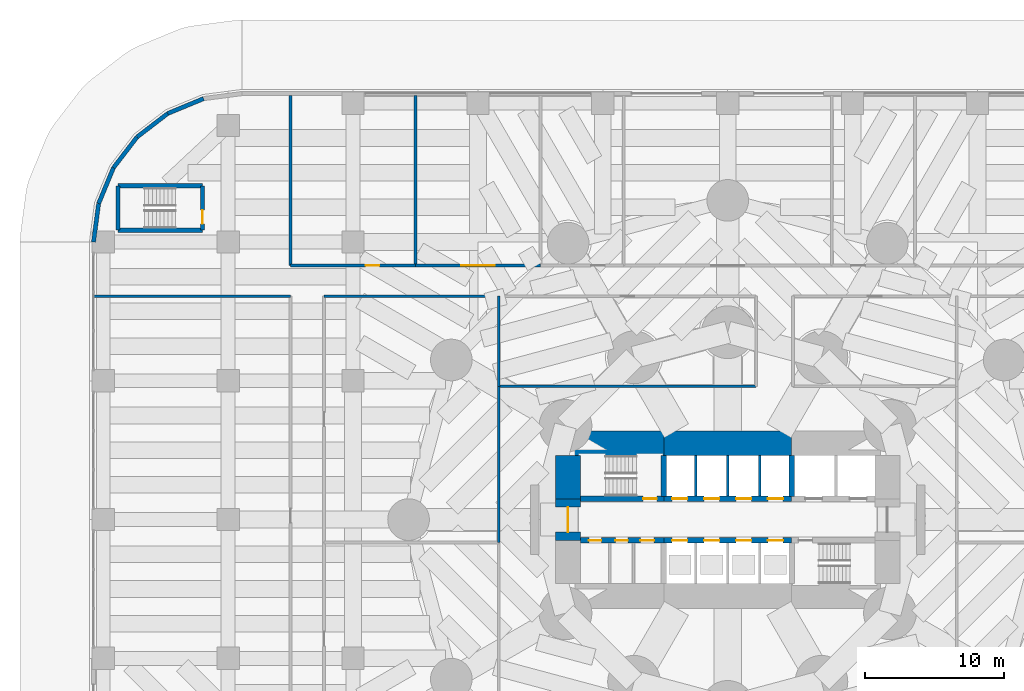
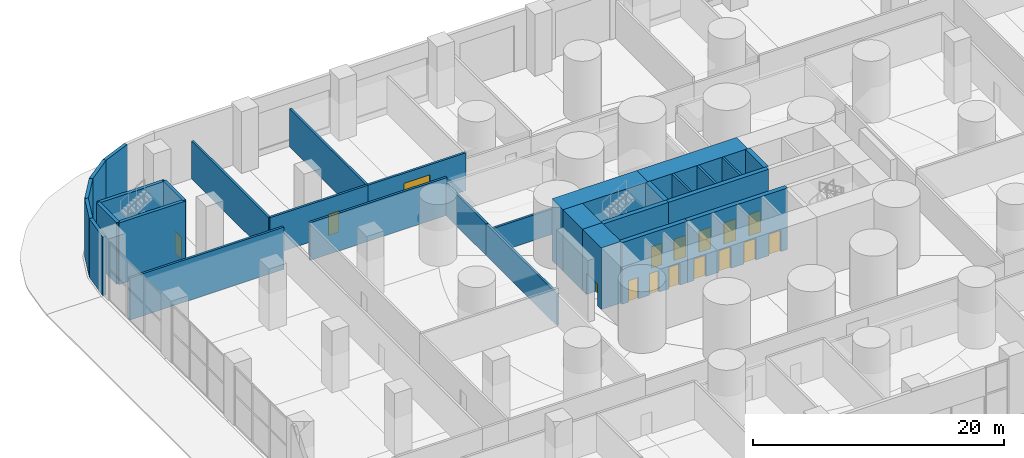
# One storey, part 13 of 20: 31 walls, 16 doors, 16 openings.
"""IFC4 building model written with IfcOpenShell, lengths in metres."""

from ifc_helpers import new_model, si_unit, direction, frame, frame_2d, origin, place, context, subcontext, project, spatial, rectangle, extrude, material, layer, layer_set, type_object, element, fill, save


model = new_model("IFC4")

# Units and contexts
model_context = context("Model", 3, precision=1e-05, world=origin(), true_north=direction((0.0, 1.0)))
body_context = subcontext(model_context, "Body", "Model", "MODEL_VIEW")
ifc_project = project(units=[si_unit("LENGTHUNIT", "METRE"), si_unit("AREAUNIT", "SQUARE_METRE"), si_unit("VOLUMEUNIT", "CUBIC_METRE"), si_unit("PLANEANGLEUNIT", "RADIAN"), si_unit("MASSUNIT", "GRAM", prefix="KILO")], contexts=[model_context])

# Site, building, storey
site_placement = place(None, origin())
site = spatial("IfcSite", under=ifc_project, at=site_placement, CompositionType="ELEMENT")
building_placement = place(site_placement, origin())
building = spatial("IfcBuilding", under=site, at=building_placement, Name="Qaws Media Tower", CompositionType="ELEMENT")
storey_placement = place(building_placement, origin())
storey = spatial("IfcBuildingStorey", under=building, at=storey_placement, Name="L00", CompositionType="ELEMENT", Elevation=0.0)

# Wall, opening, door
ifc_material_1 = material(Name="Concrete C60/75", Category="concrete")
ifc_layer_1 = layer(ifc_material_1, 0.39990234375)
ifc_layer_set_1 = layer_set([ifc_layer_1], Name="Core inner wall 400")
wall_type_1 = type_object("IfcWallType", Name="Core inner wall 400", PredefinedType="SHEAR", material=ifc_layer_set_1)
wall_1_placement = place(storey_placement, frame((49.3798828125, 51.5, 0.0), z_axis=(0.0, 0.0, 1.0), x_axis=(1.0, 0.0, 0.0)))
wall_1 = element("IfcWall", 1, at=wall_1_placement, inside=storey, type_object=wall_type_1, Name="W311 SW4 core wall SPNW L00", PredefinedType="SHEAR", context=body_context, shape_type="SweptSolid", body=[
    extrude(rectangle(XDim=6.02001953125, YDim=0.39990234375, at=frame_2d((3.010009765625, 0.0))), origin(), (0.0, 0.0, 1.0), 6.0),
])
opening_1_placement = place(wall_1_placement, frame((4.52001953125, 0.0, 0.0)))
opening_1 = element("IfcOpeningElement", 2, at=opening_1_placement, cuts=wall_1, Name="Opening D1", PredefinedType="OPENING", context=body_context, shape_type="SweptSolid", body=[
    extrude(rectangle(XDim=1.0, YDim=2.10009765625, at=frame_2d((0.5, 1.050048828125))), frame((0.0, 0.2099609375, 0.0), z_axis=(0.0, -1.0, 0.0), x_axis=(1.0, 0.0, 0.0)), (0.0, 0.0, 1.0), 0.419921875),
])
ifc_material_2 = material(Name="Steel, fire rated", Category="steel")
door_type_1 = type_object("IfcDoorType", Name="Stair door 1000 FD120", OperationType="SINGLE_SWING_LEFT", PredefinedType="DOOR", material=ifc_material_2)
door_1_placement = place(opening_1_placement, origin())
door_1 = element("IfcDoor", 3, at=door_1_placement, inside=storey, type_object=door_type_1, Name="D1 stair S1 door L00 in wall W311", OperationType="SINGLE_SWING_LEFT", OverallHeight=2.10009765625, OverallWidth=1.0, PredefinedType="DOOR", context=body_context, shape_type="SweptSolid", body=[
    extrude(rectangle(XDim=1.0, YDim=2.10009765625, at=frame_2d((0.5, 1.050048828125))), frame((0.0, 0.02490234375, 0.0), z_axis=(0.0, -1.0, 0.0), x_axis=(1.0, 0.0, 0.0)), (0.0, 0.0, 1.0), 0.050048828125),
])
fill(opening_1, door_1)

# Wall, openings, doors
wall_2_placement = place(storey_placement, frame((55.39990234375, 51.5, 0.0), z_axis=(0.0, 0.0, 1.0), x_axis=(1.0, 0.0, 0.0)))
wall_2 = element("IfcWall", 4, at=wall_2_placement, inside=storey, type_object=wall_type_1, Name="W314 SW4 core wall SPN L00", PredefinedType="SHEAR", context=body_context, shape_type="SweptSolid", body=[
    extrude(rectangle(XDim=9.2001953125, YDim=0.39990234375, at=frame_2d((4.60009765625, 0.0))), origin(), (0.0, 0.0, 1.0), 6.0),
])
opening_2_placement = place(wall_2_placement, frame((0.60009765625, 0.0, 0.0)))
opening_2 = element("IfcOpeningElement", 5, at=opening_2_placement, cuts=wall_2, Name="Opening LD", PredefinedType="OPENING", context=body_context, shape_type="SweptSolid", body=[
    extrude(rectangle(XDim=1.10009765625, YDim=2.10009765625, at=frame_2d((0.550048828125, 1.050048828125))), frame((0.0, 0.2099609375, 0.0), z_axis=(0.0, -1.0, 0.0), x_axis=(1.0, 0.0, 0.0)), (0.0, 0.0, 1.0), 0.419921875),
])
opening_3_placement = place(wall_2_placement, frame((2.89990234375, 0.0, 0.0)))
opening_3 = element("IfcOpeningElement", 6, at=opening_3_placement, cuts=wall_2, Name="Opening LD", PredefinedType="OPENING", context=body_context, shape_type="SweptSolid", body=[
    extrude(rectangle(XDim=1.10009765625, YDim=2.10009765625, at=frame_2d((0.550048828125, 1.050048828125))), frame((0.0, 0.2099609375, 0.0), z_axis=(0.0, -1.0, 0.0), x_axis=(1.0, 0.0, 0.0)), (0.0, 0.0, 1.0), 0.419921875),
])
opening_4_placement = place(wall_2_placement, frame((5.199951171875, 0.0, 0.0)))
opening_4 = element("IfcOpeningElement", 7, at=opening_4_placement, cuts=wall_2, Name="Opening LD", PredefinedType="OPENING", context=body_context, shape_type="SweptSolid", body=[
    extrude(rectangle(XDim=1.10009765625, YDim=2.10009765625, at=frame_2d((0.550048828125, 1.050048828125))), frame((0.0, 0.2099609375, 0.0), z_axis=(0.0, -1.0, 0.0), x_axis=(1.0, 0.0, 0.0)), (0.0, 0.0, 1.0), 0.419921875),
])
opening_5_placement = place(wall_2_placement, frame((7.5, 0.0, 0.0)))
opening_5 = element("IfcOpeningElement", 8, at=opening_5_placement, cuts=wall_2, Name="Opening LD", PredefinedType="OPENING", context=body_context, shape_type="SweptSolid", body=[
    extrude(rectangle(XDim=1.10009765625, YDim=2.10009765625, at=frame_2d((0.550048828125, 1.050048828125))), frame((0.0, 0.2099609375, 0.0), z_axis=(0.0, -1.0, 0.0), x_axis=(1.0, 0.0, 0.0)), (0.0, 0.0, 1.0), 0.419921875),
])
ifc_material_3 = material(Name="Steel, fire rated", Category="steel")
door_type_2 = type_object("IfcDoorType", Name="Lift landing door 1100", OperationType="SLIDING_TO_LEFT", PredefinedType="DOOR", material=ifc_material_3)
door_2_placement = place(opening_2_placement, origin())
door_2 = element("IfcDoor", 9, at=door_2_placement, inside=storey, type_object=door_type_2, Name="P1 landing door L00 in wall W314", OperationType="SLIDING_TO_LEFT", OverallHeight=2.10009765625, OverallWidth=1.10009765625, PredefinedType="DOOR", context=body_context, shape_type="SweptSolid", body=[
    extrude(rectangle(XDim=1.10009765625, YDim=2.10009765625, at=frame_2d((0.550048828125, 1.050048828125))), frame((0.0, 0.02490234375, 0.0), z_axis=(0.0, -1.0, 0.0), x_axis=(1.0, 0.0, 0.0)), (0.0, 0.0, 1.0), 0.050048828125),
])
fill(opening_2, door_2)
door_3_placement = place(opening_3_placement, origin())
door_3 = element("IfcDoor", 10, at=door_3_placement, inside=storey, type_object=door_type_2, Name="P2 landing door L00 in wall W314", OperationType="SLIDING_TO_LEFT", OverallHeight=2.10009765625, OverallWidth=1.10009765625, PredefinedType="DOOR", context=body_context, shape_type="SweptSolid", body=[
    extrude(rectangle(XDim=1.10009765625, YDim=2.10009765625, at=frame_2d((0.550048828125, 1.050048828125))), frame((0.0, 0.02490234375, 0.0), z_axis=(0.0, -1.0, 0.0), x_axis=(1.0, 0.0, 0.0)), (0.0, 0.0, 1.0), 0.050048828125),
])
fill(opening_3, door_3)
door_4_placement = place(opening_4_placement, origin())
door_4 = element("IfcDoor", 11, at=door_4_placement, inside=storey, type_object=door_type_2, Name="P3 landing door L00 in wall W314", OperationType="SLIDING_TO_LEFT", OverallHeight=2.10009765625, OverallWidth=1.10009765625, PredefinedType="DOOR", context=body_context, shape_type="SweptSolid", body=[
    extrude(rectangle(XDim=1.10009765625, YDim=2.10009765625, at=frame_2d((0.550048828125, 1.050048828125))), frame((0.0, 0.02490234375, 0.0), z_axis=(0.0, -1.0, 0.0), x_axis=(1.0, 0.0, 0.0)), (0.0, 0.0, 1.0), 0.050048828125),
])
fill(opening_4, door_4)
door_5_placement = place(opening_5_placement, origin())
door_5 = element("IfcDoor", 12, at=door_5_placement, inside=storey, type_object=door_type_2, Name="P4 landing door L00 in wall W314", OperationType="SLIDING_TO_LEFT", OverallHeight=2.10009765625, OverallWidth=1.10009765625, PredefinedType="DOOR", context=body_context, shape_type="SweptSolid", body=[
    extrude(rectangle(XDim=1.10009765625, YDim=2.10009765625, at=frame_2d((0.550048828125, 1.050048828125))), frame((0.0, 0.02490234375, 0.0), z_axis=(0.0, -1.0, 0.0), x_axis=(1.0, 0.0, 0.0)), (0.0, 0.0, 1.0), 0.050048828125),
])
fill(opening_5, door_5)

wall_3_placement = place(storey_placement, frame((49.3798828125, 48.5, 0.0), z_axis=(0.0, 0.0, 1.0), x_axis=(1.0, 0.0, 0.0)))
wall_3 = element("IfcWall", 13, at=wall_3_placement, inside=storey, type_object=wall_type_1, Name="W310 SW4 core wall SPSW L00", PredefinedType="SHEAR", context=body_context, shape_type="SweptSolid", body=[
    extrude(rectangle(XDim=6.02001953125, YDim=0.39990234375, at=frame_2d((3.010009765625, 0.0))), origin(), (0.0, 0.0, 1.0), 6.0),
])
opening_6_placement = place(wall_3_placement, frame((0.6201171875, 0.0, 0.0)))
opening_6 = element("IfcOpeningElement", 14, at=opening_6_placement, cuts=wall_3, Name="Opening D3", PredefinedType="OPENING", context=body_context, shape_type="SweptSolid", body=[
    extrude(rectangle(XDim=0.89990234375, YDim=2.10009765625, at=frame_2d((0.449951171875, 1.050048828125))), frame((0.0, 0.2099609375, 0.0), z_axis=(0.0, -1.0, 0.0), x_axis=(1.0, 0.0, 0.0)), (0.0, 0.0, 1.0), 0.419921875),
])
opening_7_placement = place(wall_3_placement, frame((2.52001953125, 0.0, 0.0)))
opening_7 = element("IfcOpeningElement", 15, at=opening_7_placement, cuts=wall_3, Name="Opening D3", PredefinedType="OPENING", context=body_context, shape_type="SweptSolid", body=[
    extrude(rectangle(XDim=0.89990234375, YDim=2.10009765625, at=frame_2d((0.449951171875, 1.050048828125))), frame((0.0, 0.2099609375, 0.0), z_axis=(0.0, -1.0, 0.0), x_axis=(1.0, 0.0, 0.0)), (0.0, 0.0, 1.0), 0.419921875),
])
opening_8_placement = place(wall_3_placement, frame((4.320068359375, 0.0, 0.0)))
opening_8 = element("IfcOpeningElement", 16, at=opening_8_placement, cuts=wall_3, Name="Opening D4", PredefinedType="OPENING", context=body_context, shape_type="SweptSolid", body=[
    extrude(rectangle(XDim=1.0, YDim=2.10009765625, at=frame_2d((0.5, 1.050048828125))), frame((0.0, 0.2099609375, 0.0), z_axis=(0.0, -1.0, 0.0), x_axis=(1.0, 0.0, 0.0)), (0.0, 0.0, 1.0), 0.419921875),
])
ifc_material_4 = material(Name="Timber veneered", Category="wood")
door_type_3 = type_object("IfcDoorType", Name="Accessible WC door 1000", OperationType="SLIDING_TO_LEFT", PredefinedType="DOOR", material=ifc_material_4)
door_6_placement = place(opening_8_placement, origin())
door_6 = element("IfcDoor", 17, at=door_6_placement, inside=storey, type_object=door_type_3, Name="D4 toilet door 3 L00 in wall W310", OperationType="SLIDING_TO_LEFT", OverallHeight=2.10009765625, OverallWidth=1.0, PredefinedType="DOOR", context=body_context, shape_type="SweptSolid", body=[
    extrude(rectangle(XDim=1.0, YDim=2.10009765625, at=frame_2d((0.5, 1.050048828125))), frame((0.0, 0.02490234375, 0.0), z_axis=(0.0, -1.0, 0.0), x_axis=(1.0, 0.0, 0.0)), (0.0, 0.0, 1.0), 0.050048828125),
])
fill(opening_8, door_6)
ifc_material_5 = material(Name="Timber veneered", Category="wood")
door_type_4 = type_object("IfcDoorType", Name="Toilet door 900", OperationType="SINGLE_SWING_RIGHT", PredefinedType="DOOR", material=ifc_material_5)
door_7_placement = place(opening_6_placement, origin())
door_7 = element("IfcDoor", 18, at=door_7_placement, inside=storey, type_object=door_type_4, Name="D3 toilet door 1 L00 in wall W310", OperationType="SINGLE_SWING_RIGHT", OverallHeight=2.10009765625, OverallWidth=0.89990234375, PredefinedType="DOOR", context=body_context, shape_type="SweptSolid", body=[
    extrude(rectangle(XDim=0.89990234375, YDim=2.10009765625, at=frame_2d((0.449951171875, 1.050048828125))), frame((0.0, 0.02490234375, 0.0), z_axis=(0.0, -1.0, 0.0), x_axis=(1.0, 0.0, 0.0)), (0.0, 0.0, 1.0), 0.050048828125),
])
fill(opening_6, door_7)
door_8_placement = place(opening_7_placement, origin())
door_8 = element("IfcDoor", 19, at=door_8_placement, inside=storey, type_object=door_type_4, Name="D3 toilet door 2 L00 in wall W310", OperationType="SINGLE_SWING_RIGHT", OverallHeight=2.10009765625, OverallWidth=0.89990234375, PredefinedType="DOOR", context=body_context, shape_type="SweptSolid", body=[
    extrude(rectangle(XDim=0.89990234375, YDim=2.10009765625, at=frame_2d((0.449951171875, 1.050048828125))), frame((0.0, 0.02490234375, 0.0), z_axis=(0.0, -1.0, 0.0), x_axis=(1.0, 0.0, 0.0)), (0.0, 0.0, 1.0), 0.050048828125),
])
fill(opening_7, door_8)

wall_4_placement = place(storey_placement, frame((55.39990234375, 48.5, 0.0), z_axis=(0.0, 0.0, 1.0), x_axis=(1.0, 0.0, 0.0)))
wall_4 = element("IfcWall", 20, at=wall_4_placement, inside=storey, type_object=wall_type_1, Name="W313 SW4 core wall SPS L00", PredefinedType="SHEAR", context=body_context, shape_type="SweptSolid", body=[
    extrude(rectangle(XDim=9.2001953125, YDim=0.39990234375, at=frame_2d((4.60009765625, 0.0))), origin(), (0.0, 0.0, 1.0), 6.0),
])
opening_9_placement = place(wall_4_placement, frame((0.60009765625, 0.0, 0.0)))
opening_9 = element("IfcOpeningElement", 21, at=opening_9_placement, cuts=wall_4, Name="Opening LD", PredefinedType="OPENING", context=body_context, shape_type="SweptSolid", body=[
    extrude(rectangle(XDim=1.10009765625, YDim=2.10009765625, at=frame_2d((0.550048828125, 1.050048828125))), frame((0.0, 0.2099609375, 0.0), z_axis=(0.0, -1.0, 0.0), x_axis=(1.0, 0.0, 0.0)), (0.0, 0.0, 1.0), 0.419921875),
])
opening_10_placement = place(wall_4_placement, frame((2.89990234375, 0.0, 0.0)))
opening_10 = element("IfcOpeningElement", 22, at=opening_10_placement, cuts=wall_4, Name="Opening LD", PredefinedType="OPENING", context=body_context, shape_type="SweptSolid", body=[
    extrude(rectangle(XDim=1.10009765625, YDim=2.10009765625, at=frame_2d((0.550048828125, 1.050048828125))), frame((0.0, 0.2099609375, 0.0), z_axis=(0.0, -1.0, 0.0), x_axis=(1.0, 0.0, 0.0)), (0.0, 0.0, 1.0), 0.419921875),
])
opening_11_placement = place(wall_4_placement, frame((5.199951171875, 0.0, 0.0)))
opening_11 = element("IfcOpeningElement", 23, at=opening_11_placement, cuts=wall_4, Name="Opening LD", PredefinedType="OPENING", context=body_context, shape_type="SweptSolid", body=[
    extrude(rectangle(XDim=1.10009765625, YDim=2.10009765625, at=frame_2d((0.550048828125, 1.050048828125))), frame((0.0, 0.2099609375, 0.0), z_axis=(0.0, -1.0, 0.0), x_axis=(1.0, 0.0, 0.0)), (0.0, 0.0, 1.0), 0.419921875),
])
opening_12_placement = place(wall_4_placement, frame((7.5, 0.0, 0.0)))
opening_12 = element("IfcOpeningElement", 24, at=opening_12_placement, cuts=wall_4, Name="Opening LD", PredefinedType="OPENING", context=body_context, shape_type="SweptSolid", body=[
    extrude(rectangle(XDim=1.10009765625, YDim=2.10009765625, at=frame_2d((0.550048828125, 1.050048828125))), frame((0.0, 0.2099609375, 0.0), z_axis=(0.0, -1.0, 0.0), x_axis=(1.0, 0.0, 0.0)), (0.0, 0.0, 1.0), 0.419921875),
])
door_9_placement = place(opening_9_placement, origin())
door_9 = element("IfcDoor", 25, at=door_9_placement, inside=storey, type_object=door_type_2, Name="P5 landing door L00 in wall W313", OperationType="SLIDING_TO_LEFT", OverallHeight=2.10009765625, OverallWidth=1.10009765625, PredefinedType="DOOR", context=body_context, shape_type="SweptSolid", body=[
    extrude(rectangle(XDim=1.10009765625, YDim=2.10009765625, at=frame_2d((0.550048828125, 1.050048828125))), frame((0.0, 0.02490234375, 0.0), z_axis=(0.0, -1.0, 0.0), x_axis=(1.0, 0.0, 0.0)), (0.0, 0.0, 1.0), 0.050048828125),
])
fill(opening_9, door_9)
door_10_placement = place(opening_10_placement, origin())
door_10 = element("IfcDoor", 26, at=door_10_placement, inside=storey, type_object=door_type_2, Name="P6 landing door L00 in wall W313", OperationType="SLIDING_TO_LEFT", OverallHeight=2.10009765625, OverallWidth=1.10009765625, PredefinedType="DOOR", context=body_context, shape_type="SweptSolid", body=[
    extrude(rectangle(XDim=1.10009765625, YDim=2.10009765625, at=frame_2d((0.550048828125, 1.050048828125))), frame((0.0, 0.02490234375, 0.0), z_axis=(0.0, -1.0, 0.0), x_axis=(1.0, 0.0, 0.0)), (0.0, 0.0, 1.0), 0.050048828125),
])
fill(opening_10, door_10)
door_11_placement = place(opening_11_placement, origin())
door_11 = element("IfcDoor", 27, at=door_11_placement, inside=storey, type_object=door_type_2, Name="P7 landing door L00 in wall W313", OperationType="SLIDING_TO_LEFT", OverallHeight=2.10009765625, OverallWidth=1.10009765625, PredefinedType="DOOR", context=body_context, shape_type="SweptSolid", body=[
    extrude(rectangle(XDim=1.10009765625, YDim=2.10009765625, at=frame_2d((0.550048828125, 1.050048828125))), frame((0.0, 0.02490234375, 0.0), z_axis=(0.0, -1.0, 0.0), x_axis=(1.0, 0.0, 0.0)), (0.0, 0.0, 1.0), 0.050048828125),
])
fill(opening_11, door_11)
door_12_placement = place(opening_12_placement, origin())
door_12 = element("IfcDoor", 28, at=door_12_placement, inside=storey, type_object=door_type_2, Name="P8 landing door L00 in wall W313", OperationType="SLIDING_TO_LEFT", OverallHeight=2.10009765625, OverallWidth=1.10009765625, PredefinedType="DOOR", context=body_context, shape_type="SweptSolid", body=[
    extrude(rectangle(XDim=1.10009765625, YDim=2.10009765625, at=frame_2d((0.550048828125, 1.050048828125))), frame((0.0, 0.02490234375, 0.0), z_axis=(0.0, -1.0, 0.0), x_axis=(1.0, 0.0, 0.0)), (0.0, 0.0, 1.0), 0.050048828125),
])
fill(opening_12, door_12)

# Walls
for number, where, z_axis, x_axis, name in (
    (29, (55.39990234375, 51.679931640625, 0.0), (0.0, 0.0, 1.0), (0.0, 1.0, 0.0), "W315 SW4 core wall XNW L00"),
    (30, (64.60009765625, 51.679931640625, 0.0), (0.0, 0.0, 1.0), (0.0, 1.0, 0.0), "W319 SW4 core wall XNE L00"),
):
    element("IfcWall", number, at=place(storey_placement, frame(where, z_axis=z_axis, x_axis=x_axis)), inside=storey, type_object=wall_type_1, Name=name, PredefinedType="SHEAR", context=body_context, shape_type="SweptSolid", body=[
        extrude(rectangle(XDim=2.940185546875, YDim=0.39990234375, at=frame_2d((1.47021484375, 0.0))), origin(), (0.0, 0.0, 1.0), 6.0),
    ])
ifc_material_6 = material(Name="Concrete C60/75", Category="concrete")
ifc_layer_2 = layer(ifc_material_6, 1.800048828125)
ifc_layer_set_2 = layer_set([ifc_layer_2], Name="Core wall 1800")
wall_type_2 = type_object("IfcWallType", Name="Core wall 1800", PredefinedType="SHEAR", material=ifc_layer_set_2)
wall_5_placement = place(storey_placement, frame((47.60009765625, 55.5, 0.0), z_axis=(0.0, 0.0, 1.0), x_axis=(1.0, 0.0, 0.0)))
element("IfcWall", 31, at=wall_5_placement, inside=storey, type_object=wall_type_2, Name="W399 SW11 core wall NW L00", PredefinedType="SHEAR", context=body_context, shape_type="SweptSolid", body=[
    extrude(rectangle(XDim=7.7998046875, YDim=1.800048828125, at=frame_2d((3.89990234375, 0.0))), origin(), (0.0, 0.0, 1.0), 6.0),
])
wall_6_placement = place(storey_placement, frame((55.39990234375, 55.5, 0.0), z_axis=(0.0, 0.0, 1.0), x_axis=(1.0, 0.0, 0.0)))
element("IfcWall", 32, at=wall_6_placement, inside=storey, type_object=wall_type_2, Name="W404 SW11 core wall N L00", PredefinedType="SHEAR", context=body_context, shape_type="SweptSolid", body=[
    extrude(rectangle(XDim=9.2001953125, YDim=1.800048828125, at=frame_2d((4.60009765625, 0.0))), origin(), (0.0, 0.0, 1.0), 6.0),
])

# Wall, opening, door
wall_7_placement = place(storey_placement, frame((48.5, 48.5, 0.0), z_axis=(0.0, 0.0, 1.0), x_axis=(0.0, 1.0, 0.0)))
wall_7 = element("IfcWall", 33, at=wall_7_placement, inside=storey, type_object=wall_type_2, Name="W401 SW11 core wall W L00", PredefinedType="SHEAR", context=body_context, shape_type="SweptSolid", body=[
    extrude(rectangle(XDim=3.0, YDim=1.800048828125, at=frame_2d((1.5, 0.0))), origin(), (0.0, 0.0, 1.0), 6.0),
])
opening_13_placement = place(wall_7_placement, frame((0.60009765625, 0.0, 0.0)))
opening_13 = element("IfcOpeningElement", 34, at=opening_13_placement, cuts=wall_7, Name="Opening D2", PredefinedType="OPENING", context=body_context, shape_type="SweptSolid", body=[
    extrude(rectangle(XDim=1.800048828125, YDim=2.10009765625, at=frame_2d((0.89990234375, 1.050048828125))), frame((0.0, 0.909912109375, 0.0), z_axis=(0.0, -1.0, 0.0), x_axis=(1.0, 0.0, 0.0)), (0.0, 0.0, 1.0), 1.820068359375),
])
ifc_material_7 = material(Name="Steel and glass, fire rated", Category="steel")
door_type_5 = type_object("IfcDoorType", Name="Lobby door pair 1800 FD60", OperationType="DOUBLE_DOOR_DOUBLE_SWING", PredefinedType="DOOR", material=ifc_material_7)
door_13_placement = place(opening_13_placement, origin())
door_13 = element("IfcDoor", 35, at=door_13_placement, inside=storey, type_object=door_type_5, Name="D2 core lobby door W L00 in wall W401", OperationType="DOUBLE_DOOR_DOUBLE_SWING", OverallHeight=2.10009765625, OverallWidth=1.800048828125, PredefinedType="DOOR", context=body_context, shape_type="SweptSolid", body=[
    extrude(rectangle(XDim=1.800048828125, YDim=2.10009765625, at=frame_2d((0.89990234375, 1.050048828125))), frame((0.0, 0.02490234375, 0.0), z_axis=(0.0, -1.0, 0.0), x_axis=(1.0, 0.0, 0.0)), (0.0, 0.0, 1.0), 0.050048828125),
])
fill(opening_13, door_13)

# Walls
wall_8_placement = place(storey_placement, frame((48.5, 51.5, 0.0), z_axis=(0.0, 0.0, 1.0), x_axis=(0.0, 1.0, 0.0)))
element("IfcWall", 36, at=wall_8_placement, inside=storey, type_object=wall_type_2, Name="W402 SW11 core wall WN L00", PredefinedType="SHEAR", context=body_context, shape_type="SweptSolid", body=[
    extrude(rectangle(XDim=3.1201171875, YDim=1.800048828125, at=frame_2d((1.56005859375, 0.0))), origin(), (0.0, 0.0, 1.0), 6.0),
])
ifc_material_8 = material(Name="Precast concrete, exposed finish", Category="concrete")
ifc_layer_3 = layer(ifc_material_8, 0.300048828125)
ifc_layer_set_3 = layer_set([ifc_layer_3], Name="Podium facade wall 300")
wall_type_3 = type_object("IfcWallType", Name="Podium facade wall 300", PredefinedType="SOLIDWALL", material=ifc_layer_set_3)
wall_9_placement = place(storey_placement, frame((22.230712890625, 80.33544921875, 0.0), z_axis=(0.0, 0.0, 1.0), x_axis=(-0.923868765822, -0.382709424419, 0.0)))
element("IfcWall", 37, at=wall_9_placement, inside=storey, type_object=wall_type_3, Name="W774 EW2 podium wall L00-16", PredefinedType="SOLIDWALL", context=body_context, shape_type="SweptSolid", body=[
    extrude(rectangle(XDim=2.79345703125, YDim=0.300048828125, at=frame_2d((1.396728515625, 0.0))), origin(), (0.0, 0.0, 1.0), 5.699951171875),
])
for number, where, z_axis, x_axis, name in (
    (38, (19.64990234375, 79.266357421875, 0.0), (0.0, 0.0, 1.0), (-0.793396695539, -0.608704923183, 0.0), "W772 EW2 podium wall L00-17"),
    (39, (17.433837890625, 77.566162109375, 0.0), (0.0, 0.0, 1.0), (-0.608704923183, -0.793396695539, 0.0), "W770 EW2 podium wall L00-18"),
):
    element("IfcWall", number, at=place(storey_placement, frame(where, z_axis=z_axis, x_axis=x_axis)), inside=storey, type_object=wall_type_3, Name=name, PredefinedType="SOLIDWALL", context=body_context, shape_type="SweptSolid", body=[
        extrude(rectangle(XDim=2.793212890625, YDim=0.300048828125, at=frame_2d((1.396484375, 0.0))), origin(), (0.0, 0.0, 1.0), 5.699951171875),
    ])
wall_10_placement = place(storey_placement, frame((15.733642578125, 75.35009765625, 0.0), z_axis=(0.0, 0.0, 1.0), x_axis=(-0.382709424419, -0.923868765822, 0.0)))
element("IfcWall", 40, at=wall_10_placement, inside=storey, type_object=wall_type_3, Name="W768 EW2 podium wall L00-19", PredefinedType="SOLIDWALL", context=body_context, shape_type="SweptSolid", body=[
    extrude(rectangle(XDim=2.79345703125, YDim=0.300048828125, at=frame_2d((1.396728515625, 0.0))), origin(), (0.0, 0.0, 1.0), 5.699951171875),
])
wall_11_placement = place(storey_placement, frame((14.66455078125, 72.769287109375, 0.0), z_axis=(0.0, 0.0, 1.0), x_axis=(-0.130497471798, -0.991448642066, 0.0)))
element("IfcWall", 41, at=wall_11_placement, inside=storey, type_object=wall_type_3, Name="W766 EW2 podium wall L00-20", PredefinedType="SOLIDWALL", context=body_context, shape_type="SweptSolid", body=[
    extrude(rectangle(XDim=2.793212890625, YDim=0.300048828125, at=frame_2d((1.396484375, 0.0))), origin(), (0.0, 0.0, 1.0), 5.699951171875),
])
ifc_material_9 = material(Name="Gypsum board on galvanised metal studs, acoustic double stud, deflection head", Category="gypsum")
ifc_layer_4 = layer(ifc_material_9, 0.199951171875)
ifc_layer_set_4 = layer_set([ifc_layer_4], Name="Room partition 200")
wall_type_4 = type_object("IfcWallType", Name="Room partition 200", PredefinedType="PARTITIONING", material=ifc_layer_set_4)
for number, where, z_axis, x_axis, name in (
    (42, (28.5, 68.300048828125, 0.0), (0.0, 0.0, 1.0), (0.0, 1.0, 0.0), "W846 IW3 partition L00"),
    (43, (37.5, 68.300048828125, 0.0), (0.0, 0.0, 1.0), (0.0, 1.0, 0.0), "W854 IW3 partition L00"),
):
    element("IfcWall", number, at=place(storey_placement, frame(where, z_axis=z_axis, x_axis=x_axis)), inside=storey, type_object=wall_type_4, Name=name, PredefinedType="PARTITIONING", context=body_context, shape_type="SweptSolid", body=[
        extrude(rectangle(XDim=12.244873046875, YDim=0.199951171875, at=frame_2d((6.12255859375, 0.0))), origin(), (0.0, 0.0, 1.0), 3.679931640625),
    ])
wall_12_placement = place(storey_placement, frame((43.5, 48.35009765625, 0.0), z_axis=(0.0, 0.0, 1.0), x_axis=(0.0, 1.0, 0.0)))
element("IfcWall", 44, at=wall_12_placement, inside=storey, type_object=wall_type_4, Name="W858 IW3 partition L00", PredefinedType="PARTITIONING", context=body_context, shape_type="SweptSolid", body=[
    extrude(rectangle(XDim=11.25, YDim=0.199951171875, at=frame_2d((5.625, 0.0))), origin(), (0.0, 0.0, 1.0), 3.080078125),
])
wall_13_placement = place(storey_placement, frame((43.5, 59.60009765625, 0.0), z_axis=(0.0, 0.0, 1.0), x_axis=(0.0, 1.0, 0.0)))
element("IfcWall", 45, at=wall_13_placement, inside=storey, type_object=wall_type_4, Name="W821 IW3 partition L00", PredefinedType="PARTITIONING", context=body_context, shape_type="SweptSolid", body=[
    extrude(rectangle(XDim=6.5, YDim=0.199951171875, at=frame_2d((3.25, 0.0))), origin(), (0.0, 0.0, 1.0), 3.080078125),
])
wall_14_placement = place(storey_placement, frame((43.5, 59.60009765625, 0.0), z_axis=(0.0, 0.0, 1.0), x_axis=(1.0, 0.0, 0.0)))
element("IfcWall", 46, at=wall_14_placement, inside=storey, type_object=wall_type_4, Name="W822 IW3 partition L00", PredefinedType="PARTITIONING", context=body_context, shape_type="SweptSolid", body=[
    extrude(rectangle(XDim=18.550048828125, YDim=0.199951171875, at=frame_2d((9.27490234375, 0.0))), origin(), (0.0, 0.0, 1.0), 2.47998046875),
])
wall_15_placement = place(storey_placement, frame((14.3349609375, 66.10009765625, 0.0), z_axis=(0.0, 0.0, 1.0), x_axis=(1.0, 0.0, 0.0)))
element("IfcWall", 47, at=wall_15_placement, inside=storey, type_object=wall_type_4, Name="W841 IW3 partition L00", PredefinedType="PARTITIONING", context=body_context, shape_type="SweptSolid", body=[
    extrude(rectangle(XDim=14.1650390625, YDim=0.199951171875, at=frame_2d((7.08251953125, 0.0))), origin(), (0.0, 0.0, 1.0), 4.10009765625),
])
wall_16_placement = place(storey_placement, frame((30.89990234375, 66.10009765625, 0.0), z_axis=(0.0, 0.0, 1.0), x_axis=(1.0, 0.0, 0.0)))
element("IfcWall", 48, at=wall_16_placement, inside=storey, type_object=wall_type_4, Name="W816 IW3 partition L00", PredefinedType="PARTITIONING", context=body_context, shape_type="SweptSolid", body=[
    extrude(rectangle(XDim=12.60009765625, YDim=0.199951171875, at=frame_2d((6.300048828125, 0.0))), origin(), (0.0, 0.0, 1.0), 3.679931640625),
])

# Wall, opening, door
wall_17_placement = place(storey_placement, frame((28.5, 68.300048828125, 0.0), z_axis=(0.0, 0.0, 1.0), x_axis=(1.0, 0.0, 0.0)))
wall_17 = element("IfcWall", 49, at=wall_17_placement, inside=storey, type_object=wall_type_4, Name="W847 IW3 partition L00", PredefinedType="PARTITIONING", context=body_context, shape_type="SweptSolid", body=[
    extrude(rectangle(XDim=9.0, YDim=0.199951171875, at=frame_2d((4.5, 0.0))), origin(), (0.0, 0.0, 1.0), 3.679931640625),
])
opening_14_placement = place(wall_17_placement, frame((5.39990234375, 0.0, 0.0)))
opening_14 = element("IfcOpeningElement", 50, at=opening_14_placement, cuts=wall_17, Name="Opening D5", PredefinedType="OPENING", context=body_context, shape_type="SweptSolid", body=[
    extrude(rectangle(XDim=1.0, YDim=2.10009765625, at=frame_2d((0.5, 1.050048828125))), frame((0.0, 0.10986328125, 0.0), z_axis=(0.0, -1.0, 0.0), x_axis=(1.0, 0.0, 0.0)), (0.0, 0.0, 1.0), 0.219970703125),
])
ifc_material_10 = material(Name="Timber veneered, acoustic seal", Category="wood")
door_type_6 = type_object("IfcDoorType", Name="Room door 1000", OperationType="SINGLE_SWING_LEFT", PredefinedType="DOOR", material=ifc_material_10)
door_14_placement = place(opening_14_placement, origin())
door_14 = element("IfcDoor", 51, at=door_14_placement, inside=storey, type_object=door_type_6, Name="D5 Refuse store door in wall W847", OperationType="SINGLE_SWING_LEFT", OverallHeight=2.10009765625, OverallWidth=1.0, PredefinedType="DOOR", context=body_context, shape_type="SweptSolid", body=[
    extrude(rectangle(XDim=1.0, YDim=2.10009765625, at=frame_2d((0.5, 1.050048828125))), frame((0.0, 0.02490234375, 0.0), z_axis=(0.0, -1.0, 0.0), x_axis=(1.0, 0.0, 0.0)), (0.0, 0.0, 1.0), 0.050048828125),
])
fill(opening_14, door_14)

wall_18_placement = place(storey_placement, frame((37.5, 68.300048828125, 0.0), z_axis=(0.0, 0.0, 1.0), x_axis=(1.0, 0.0, 0.0)))
wall_18 = element("IfcWall", 52, at=wall_18_placement, inside=storey, type_object=wall_type_4, Name="W855 IW3 partition L00", PredefinedType="PARTITIONING", context=body_context, shape_type="SweptSolid", body=[
    extrude(rectangle(XDim=9.0, YDim=0.199951171875, at=frame_2d((4.5, 0.0))), origin(), (0.0, 0.0, 1.0), 3.679931640625),
])
opening_15_placement = place(wall_18_placement, frame((3.300048828125, 0.0, 0.0)))
opening_15 = element("IfcOpeningElement", 53, at=opening_15_placement, cuts=wall_18, Name="Opening D20", PredefinedType="OPENING", context=body_context, shape_type="SweptSolid", body=[
    extrude(rectangle(XDim=2.39990234375, YDim=2.699951171875, at=frame_2d((1.199951171875, 1.35009765625))), frame((0.0, 0.10986328125, 0.0), z_axis=(0.0, -1.0, 0.0), x_axis=(1.0, 0.0, 0.0)), (0.0, 0.0, 1.0), 0.219970703125),
])
ifc_material_11 = material(Name="Steel, fire rated", Category="steel")
door_type_7 = type_object("IfcDoorType", Name="Workshop door pair 2400x2700", OperationType="DOUBLE_DOOR_DOUBLE_SWING", PredefinedType="DOOR", material=ifc_material_11)
door_15_placement = place(opening_15_placement, origin())
door_15 = element("IfcDoor", 54, at=door_15_placement, inside=storey, type_object=door_type_7, Name="D20 Facilities workshop door in wall W855", OperationType="DOUBLE_DOOR_DOUBLE_SWING", OverallHeight=2.699951171875, OverallWidth=2.39990234375, PredefinedType="DOOR", context=body_context, shape_type="SweptSolid", body=[
    extrude(rectangle(XDim=2.39990234375, YDim=2.699951171875, at=frame_2d((1.199951171875, 1.35009765625))), frame((0.0, 0.02490234375, 0.0), z_axis=(0.0, -1.0, 0.0), x_axis=(1.0, 0.0, 0.0)), (0.0, 0.0, 1.0), 0.050048828125),
])
fill(opening_15, door_15)

# Walls
ifc_material_12 = material(Name="Fire-rated gypsum board shaft wall on galvanised metal studs, deflection head", Category="gypsum")
ifc_layer_5 = layer(ifc_material_12, 0.199951171875)
ifc_layer_set_5 = layer_set([ifc_layer_5], Name="Shaft wall 200")
wall_type_5 = type_object("IfcWallType", Name="Shaft wall 200", PredefinedType="PARTITIONING", material=ifc_layer_set_5)
for number, where, z_axis, x_axis, name in (
    (55, (57.699951171875, 51.699951171875, 0.0), (0.0, 0.0, 1.0), (0.0, 1.0, 0.0), "W1842 IW1 shaft wall N1 L00"),
    (56, (60.0, 51.699951171875, 0.0), (0.0, 0.0, 1.0), (0.0, 1.0, 0.0), "W1843 IW1 shaft wall N2 L00"),
    (57, (62.300048828125, 51.699951171875, 0.0), (0.0, 0.0, 1.0), (0.0, 1.0, 0.0), "W1844 IW1 shaft wall N3 L00"),
):
    element("IfcWall", number, at=place(storey_placement, frame(where, z_axis=z_axis, x_axis=x_axis)), inside=storey, type_object=wall_type_5, Name=name, PredefinedType="PARTITIONING", context=body_context, shape_type="SweptSolid", body=[
        extrude(rectangle(XDim=2.900146484375, YDim=0.199951171875, at=frame_2d((1.4501953125, 0.0))), origin(), (0.0, 0.0, 1.0), 6.0),
    ])
ifc_material_13 = material(Name="Concrete C60/75", Category="concrete")
ifc_layer_6 = layer(ifc_material_13, 0.300048828125)
ifc_layer_set_6 = layer_set([ifc_layer_6], Name="Stair enclosure wall 300")
wall_type_6 = type_object("IfcWallType", Name="Stair enclosure wall 300", PredefinedType="SHEAR", material=ifc_layer_set_6)
for number, where, z_axis, x_axis, name in (
    (58, (16.050048828125, 70.85009765625, 0.0), (0.0, 0.0, 1.0), (1.0, 0.0, 0.0), "W1883 SW7 stair S3 enclosure S L00"),
    (59, (16.050048828125, 74.050048828125, 0.0), (0.0, 0.0, 1.0), (1.0, 0.0, 0.0), "W1884 SW7 stair S3 enclosure N L00"),
):
    element("IfcWall", number, at=place(storey_placement, frame(where, z_axis=z_axis, x_axis=x_axis)), inside=storey, type_object=wall_type_6, Name=name, PredefinedType="SHEAR", context=body_context, shape_type="SweptSolid", body=[
        extrude(rectangle(XDim=6.099853515625, YDim=0.300048828125, at=frame_2d((3.0498046875, 0.0))), origin(), (0.0, 0.0, 1.0), 6.0),
    ])
wall_19_placement = place(storey_placement, frame((16.050048828125, 70.85009765625, 0.0), z_axis=(0.0, 0.0, 1.0), x_axis=(0.0, 1.0, 0.0)))
element("IfcWall", 60, at=wall_19_placement, inside=storey, type_object=wall_type_6, Name="W1882 SW7 stair S3 enclosure W L00", PredefinedType="SHEAR", context=body_context, shape_type="SweptSolid", body=[
    extrude(rectangle(XDim=3.199951171875, YDim=0.300048828125, at=frame_2d((1.60009765625, 0.0))), origin(), (0.0, 0.0, 1.0), 6.0),
])

# Wall, opening, door
wall_20_placement = place(storey_placement, frame((22.14990234375, 70.85009765625, 0.0), z_axis=(0.0, 0.0, 1.0), x_axis=(0.0, 1.0, 0.0)))
wall_20 = element("IfcWall", 61, at=wall_20_placement, inside=storey, type_object=wall_type_6, Name="W1885 SW7 stair S3 enclosure E L00", PredefinedType="SHEAR", context=body_context, shape_type="SweptSolid", body=[
    extrude(rectangle(XDim=3.199951171875, YDim=0.300048828125, at=frame_2d((1.60009765625, 0.0))), origin(), (0.0, 0.0, 1.0), 6.0),
])
opening_16_placement = place(wall_20_placement, frame((0.449951171875, 0.0, 0.0)))
opening_16 = element("IfcOpeningElement", 62, at=opening_16_placement, cuts=wall_20, Name="Opening D1", PredefinedType="OPENING", context=body_context, shape_type="SweptSolid", body=[
    extrude(rectangle(XDim=1.0, YDim=2.10009765625, at=frame_2d((0.5, 1.050048828125))), frame((0.0, 0.159912109375, 0.0), z_axis=(0.0, -1.0, 0.0), x_axis=(1.0, 0.0, 0.0)), (0.0, 0.0, 1.0), 0.320068359375),
])
door_16_placement = place(opening_16_placement, origin())
door_16 = element("IfcDoor", 63, at=door_16_placement, inside=storey, type_object=door_type_1, Name="D1 stair S3 door L00 in wall W1885", OperationType="SINGLE_SWING_LEFT", OverallHeight=2.10009765625, OverallWidth=1.0, PredefinedType="DOOR", context=body_context, shape_type="SweptSolid", body=[
    extrude(rectangle(XDim=1.0, YDim=2.10009765625, at=frame_2d((0.5, 1.050048828125))), frame((0.0, 0.02490234375, 0.0), z_axis=(0.0, -1.0, 0.0), x_axis=(1.0, 0.0, 0.0)), (0.0, 0.0, 1.0), 0.050048828125),
])
fill(opening_16, door_16)

save(model, "model.ifc")
